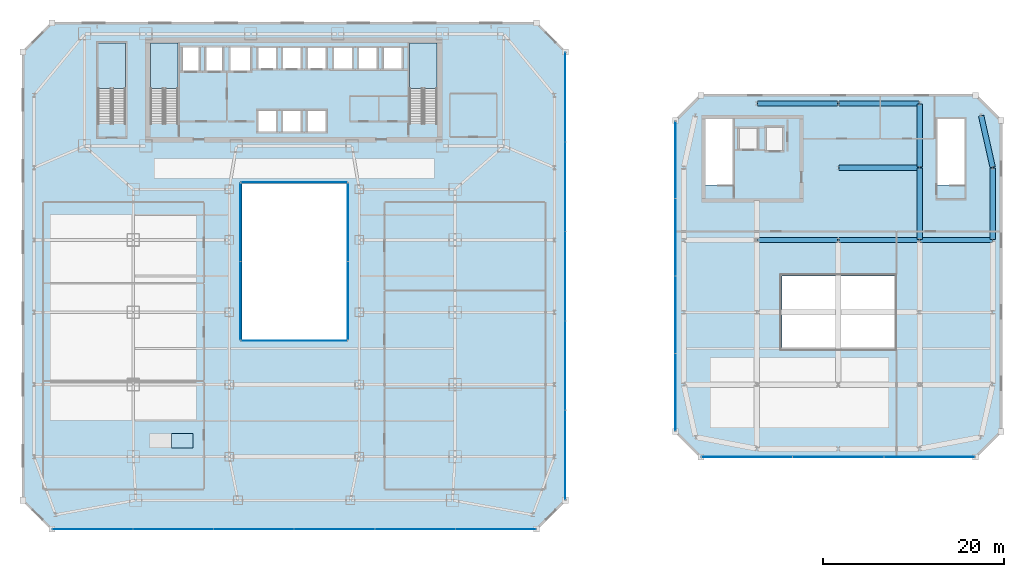
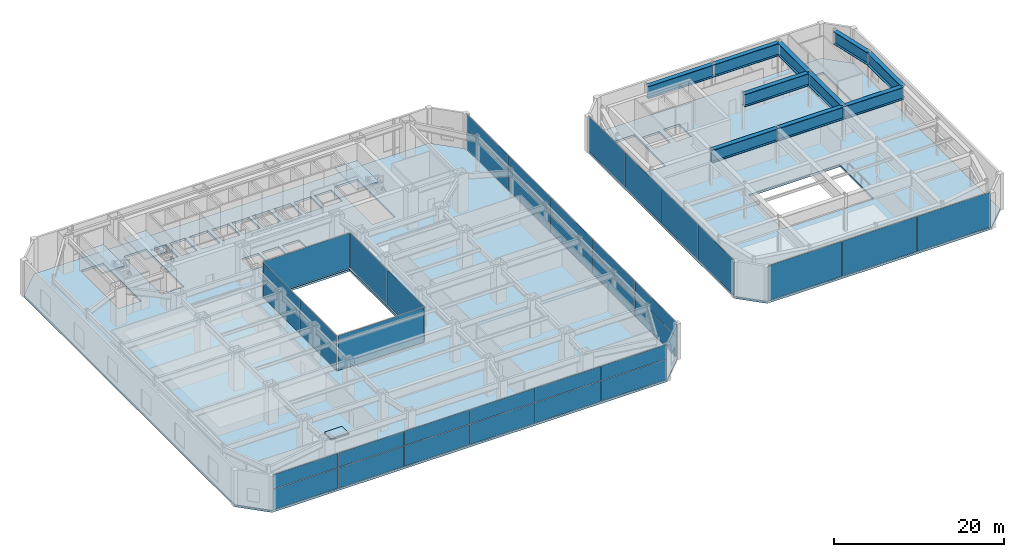
# One storey, part 41 of 53: 35 plates, 10 beams, 6 slabs, 12 elements without a shape of their own.
"""IFC4 building model written with IfcOpenShell, lengths in metres."""

from ifc_helpers import new_model, si_unit, direction, frame, origin, origin_2d, place, context, subcontext, project, spatial, polyline, rectangle, i_section, outline, extrude, material, layer, layer_set, material_profile, profile_set, type_object, element, aggregate, save


model = new_model("IFC4")

# Units and contexts
model_context = context("Model", 3, precision=1e-05, world=origin(), true_north=direction((0.0, 1.0)))
body_context = subcontext(model_context, "Body", "Model", "MODEL_VIEW")
ifc_project = project(units=[si_unit("LENGTHUNIT", "METRE"), si_unit("AREAUNIT", "SQUARE_METRE"), si_unit("VOLUMEUNIT", "CUBIC_METRE"), si_unit("PLANEANGLEUNIT", "RADIAN"), si_unit("MASSUNIT", "GRAM", prefix="KILO")], contexts=[model_context])

# Site, building, storey
site_placement = place(None, origin())
site = spatial("IfcSite", under=ifc_project, at=site_placement, CompositionType="ELEMENT")
building_placement = place(site_placement, origin())
building = spatial("IfcBuilding", under=site, at=building_placement, Name="Saevonmaru Cultural Tower", CompositionType="ELEMENT")
storey_placement = place(building_placement, frame((0.0, 0.0, 22.199951171875)))
storey = spatial("IfcBuildingStorey", under=building, at=storey_placement, Name="L04", CompositionType="ELEMENT", Elevation=22.199951171875)

# Beams
ifc_material_1 = material(Name="Steel HSA600 (600 MPa)", Category="steel")
ifc_material_profile = material_profile(ifc_material_1, i_section(OverallWidth=0.60009765625, OverallDepth=1.800048828125, WebThickness=0.028076171875, FlangeThickness=0.054931640625, at=origin_2d()), Name="PG-1800x600x28x55")
ifc_profile_set = profile_set([ifc_material_profile], Name="Steel HSA600 (600 MPa)")
beam_type = type_object("IfcBeamType", Name="BM-TG-PG1800", PredefinedType="BEAM", material=ifc_profile_set)
for number, where, z_axis, x_axis, name in (
    (1, (81.260009765625, 32.0, 4.199951171875), (1.0, 0.0, 0.0), (0.0, 1.0, 0.0), "L04 Library Girder EW-4-2"),
    (2, (90.260009765625, 32.0, 4.199951171875), (1.0, 0.0, 0.0), (0.0, 1.0, 0.0), "L04 Library Girder EW-4-3"),
):
    element("IfcBeam", number, at=place(storey_placement, frame(where, z_axis=z_axis, x_axis=x_axis)), inside=storey, type_object=beam_type, Name=name, PredefinedType="BEAM", context=body_context, shape_type="SweptSolid", body=[
        extrude(i_section(OverallWidth=0.60009765625, OverallDepth=1.800048828125, WebThickness=0.028076171875, FlangeThickness=0.054931640625, at=origin_2d()), origin(), (0.0, 0.0, 1.0), 8.8798828125),
    ])
beam_1_placement = place(storey_placement, frame((99.260009765625, 32.0, 4.199951171875), z_axis=(1.0, 0.0, 0.0), x_axis=(0.0, 1.0, 0.0)))
element("IfcBeam", 3, at=beam_1_placement, inside=storey, type_object=beam_type, Name="L04 Library Girder EW-4-4", PredefinedType="BEAM", context=body_context, shape_type="SweptSolid", body=[
    extrude(i_section(OverallWidth=0.60009765625, OverallDepth=1.800048828125, WebThickness=0.028076171875, FlangeThickness=0.054931640625, at=origin_2d()), origin(), (0.0, 0.0, 1.0), 7.97998046875),
])
for number, where, z_axis, x_axis, name in (
    (4, (90.260009765625, 40.0, 4.199951171875), (1.0, 0.0, 0.0), (0.0, 1.0, 0.0), "L04 Library Girder EW-5-3"),
    (5, (81.260009765625, 47.10009765625, 4.199951171875), (1.0, 0.0, 0.0), (0.0, 1.0, 0.0), "L04 Library Girder EW-6-2"),
    (6, (90.260009765625, 47.10009765625, 4.199951171875), (1.0, 0.0, 0.0), (0.0, 1.0, 0.0), "L04 Library Girder EW-6-3"),
):
    element("IfcBeam", number, at=place(storey_placement, frame(where, z_axis=z_axis, x_axis=x_axis)), inside=storey, type_object=beam_type, Name=name, PredefinedType="BEAM", context=body_context, shape_type="SweptSolid", body=[
        extrude(i_section(OverallWidth=0.60009765625, OverallDepth=1.800048828125, WebThickness=0.028076171875, FlangeThickness=0.054931640625, at=origin_2d()), origin(), (0.0, 0.0, 1.0), 8.8798828125),
    ])
beam_2_placement = place(storey_placement, frame((99.199951171875, 32.06005859375, 4.199951171875), z_axis=(0.0, 1.0, 0.0), x_axis=(-1.0, 0.0, 0.0)))
element("IfcBeam", 7, at=beam_2_placement, inside=storey, type_object=beam_type, Name="L04 Library Girder NS-4-4", PredefinedType="BEAM", context=body_context, shape_type="SweptSolid", body=[
    extrude(i_section(OverallWidth=0.60009765625, OverallDepth=1.800048828125, WebThickness=0.028076171875, FlangeThickness=0.054931640625, at=origin_2d()), origin(), (0.0, 0.0, 1.0), 7.8798828125),
])
beam_3_placement = place(storey_placement, frame((99.199951171875, 40.06005859375, 4.199951171875), z_axis=(0.0, 1.0, 0.0), x_axis=(-1.0, 0.0, 0.0)))
element("IfcBeam", 8, at=beam_3_placement, inside=storey, type_object=beam_type, Name="L04 Library Girder NS-4-5", PredefinedType="BEAM", context=body_context, shape_type="SweptSolid", body=[
    extrude(i_section(OverallWidth=0.60009765625, OverallDepth=1.800048828125, WebThickness=0.028076171875, FlangeThickness=0.054931640625, at=origin_2d()), origin(), (0.0, 0.0, 1.0), 6.97998046875),
])
beam_4_placement = place(storey_placement, frame((107.300048828125, 32.06005859375, 4.199951171875), z_axis=(0.0, 1.0, 0.0), x_axis=(-1.0, 0.0, 0.0)))
element("IfcBeam", 9, at=beam_4_placement, inside=storey, type_object=beam_type, Name="L04 Library Girder NS-5-4", PredefinedType="BEAM", context=body_context, shape_type="SweptSolid", body=[
    extrude(i_section(OverallWidth=0.60009765625, OverallDepth=1.800048828125, WebThickness=0.028076171875, FlangeThickness=0.054931640625, at=origin_2d()), origin(), (0.0, 0.0, 1.0), 7.8798828125),
])
beam_5_placement = place(storey_placement, frame((107.286865234375, 40.05859375, 4.199951171875), z_axis=(-0.218701133908, 0.975791890737, 0.0), x_axis=(-0.975791890737, -0.218701133908, 0.0)))
element("IfcBeam", 10, at=beam_5_placement, inside=storey, type_object=beam_type, Name="L04 Library Girder NS-5-5", PredefinedType="BEAM", context=body_context, shape_type="SweptSolid", body=[
    extrude(i_section(OverallWidth=0.60009765625, OverallDepth=1.800048828125, WebThickness=0.028076171875, FlangeThickness=0.054931640625, at=origin_2d()), origin(), (0.0, 0.0, 1.0), 5.82373046875),
])

# Curtain wall, plate
ifc_material_2 = material(Name="Satin Bronze Anodised Aluminium", Category="aluminium")
curtain_wall_type_1 = type_object("IfcCurtainWallType", Name="CW-ATR-GLZ", PredefinedType="NOTDEFINED", material=ifc_material_2)
curtain_wall_1_placement = place(storey_placement, origin())
curtain_wall_1 = element("IfcCurtainWall", 11, at=curtain_wall_1_placement, inside=storey, type_object=curtain_wall_type_1, Name="L04 Vertical Atrium Glazed Smoke Screen 1", PredefinedType="NOTDEFINED")
ifc_material_3 = material(Name="Fire-Rated Laminated Atrium Glass", Category="glass")
ifc_layer_1 = layer(ifc_material_3, 0.031982421875, Name="Fire-Rated Laminated Atrium Glass")
ifc_layer_set_1 = layer_set([ifc_layer_1], Name="Fire-Rated Laminated Atrium Glass")
plate_type_1 = type_object("IfcPlateType", Name="PN-GLZ-ATR-INT", PredefinedType="CURTAIN_PANEL", material=ifc_layer_set_1)
plate_1_placement = place(storey_placement, frame((30.0, 20.85009765625, 0.06689453125), z_axis=(0.0, 0.0, 1.0), x_axis=(1.0, 0.0, 0.0)))
plate_1 = element("IfcPlate", 12, at=plate_1_placement, type_object=plate_type_1, Name="CW-ATR-L04-1 panel 1.1", PredefinedType="CURTAIN_PANEL", context=body_context, shape_type="SweptSolid", body=[
    extrude(rectangle(XDim=11.7109375, YDim=0.031982421875, at=origin_2d()), origin(), (0.0, 0.0, 1.0), 5.01611328125),
])
aggregate(curtain_wall_1, [plate_1])

# Curtain wall, plates
curtain_wall_2_placement = place(storey_placement, origin())
curtain_wall_2 = element("IfcCurtainWall", 13, at=curtain_wall_2_placement, inside=storey, type_object=curtain_wall_type_1, Name="L04 Vertical Atrium Glazed Smoke Screen 2", PredefinedType="NOTDEFINED")
plate_2_placement = place(storey_placement, frame((35.949951171875, 25.264892578125, 0.06689453125), z_axis=(0.0, 0.0, 1.0), x_axis=(0.0, 1.0, 0.0)))
plate_2 = element("IfcPlate", 14, at=plate_2_placement, type_object=plate_type_1, Name="CW-ATR-L04-2 panel 1.1", PredefinedType="CURTAIN_PANEL", context=body_context, shape_type="SweptSolid", body=[
    extrude(rectangle(XDim=8.64111328125, YDim=0.031982421875, at=origin_2d()), origin(), (0.0, 0.0, 1.0), 5.01611328125),
])
plate_3_placement = place(storey_placement, frame((35.949951171875, 33.97509765625, 0.06689453125), z_axis=(0.0, 0.0, 1.0), x_axis=(0.0, 1.0, 0.0)))
plate_3 = element("IfcPlate", 15, at=plate_3_placement, type_object=plate_type_1, Name="CW-ATR-L04-2 panel 2.1", PredefinedType="CURTAIN_PANEL", context=body_context, shape_type="SweptSolid", body=[
    extrude(rectangle(XDim=8.64111328125, YDim=0.031982421875, at=origin_2d()), origin(), (0.0, 0.0, 1.0), 5.01611328125),
])
aggregate(curtain_wall_2, [plate_2, plate_3])

# Curtain wall, plate
curtain_wall_3_placement = place(storey_placement, origin())
curtain_wall_3 = element("IfcCurtainWall", 16, at=curtain_wall_3_placement, inside=storey, type_object=curtain_wall_type_1, Name="L04 Vertical Atrium Glazed Smoke Screen 3", PredefinedType="NOTDEFINED")
plate_4_placement = place(storey_placement, frame((30.0, 38.389892578125, 0.06689453125), z_axis=(0.0, 0.0, 1.0), x_axis=(-1.0, 0.0, 0.0)))
plate_4 = element("IfcPlate", 17, at=plate_4_placement, type_object=plate_type_1, Name="CW-ATR-L04-3 panel 1.1", PredefinedType="CURTAIN_PANEL", context=body_context, shape_type="SweptSolid", body=[
    extrude(rectangle(XDim=11.7109375, YDim=0.031982421875, at=origin_2d()), origin(), (0.0, 0.0, 1.0), 5.01611328125),
])
aggregate(curtain_wall_3, [plate_4])

# Curtain wall, plates
curtain_wall_4_placement = place(storey_placement, origin())
curtain_wall_4 = element("IfcCurtainWall", 18, at=curtain_wall_4_placement, inside=storey, type_object=curtain_wall_type_1, Name="L04 Vertical Atrium Glazed Smoke Screen 4", PredefinedType="NOTDEFINED")
plate_5_placement = place(storey_placement, frame((24.050048828125, 33.97509765625, 0.06689453125), z_axis=(0.0, 0.0, 1.0), x_axis=(0.0, -1.0, 0.0)))
plate_5 = element("IfcPlate", 19, at=plate_5_placement, type_object=plate_type_1, Name="CW-ATR-L04-4 panel 1.1", PredefinedType="CURTAIN_PANEL", context=body_context, shape_type="SweptSolid", body=[
    extrude(rectangle(XDim=8.64111328125, YDim=0.031982421875, at=origin_2d()), origin(), (0.0, 0.0, 1.0), 5.01611328125),
])
plate_6_placement = place(storey_placement, frame((24.050048828125, 25.264892578125, 0.06689453125), z_axis=(0.0, 0.0, 1.0), x_axis=(0.0, -1.0, 0.0)))
plate_6 = element("IfcPlate", 20, at=plate_6_placement, type_object=plate_type_1, Name="CW-ATR-L04-4 panel 2.1", PredefinedType="CURTAIN_PANEL", context=body_context, shape_type="SweptSolid", body=[
    extrude(rectangle(XDim=8.64111328125, YDim=0.031982421875, at=origin_2d()), origin(), (0.0, 0.0, 1.0), 5.01611328125),
])
aggregate(curtain_wall_4, [plate_5, plate_6])

curtain_wall_type_2 = type_object("IfcCurtainWallType", Name="CW-POD-GLZ", PredefinedType="NOTDEFINED", material=ifc_material_2)
curtain_wall_5_placement = place(storey_placement, origin())
curtain_wall_5 = element("IfcCurtainWall", 21, at=curtain_wall_5_placement, inside=storey, type_object=curtain_wall_type_2, Name="L04 South Grand Foyer Curtain Wall", PredefinedType="NOTDEFINED")
ifc_material_4 = material(Name="Triple Silver Low-E Insulating Glass", Category="glass")
ifc_layer_2 = layer(ifc_material_4, 0.035888671875, Name="Triple Silver Low-E Insulating Glass")
ifc_layer_set_2 = layer_set([ifc_layer_2], Name="Triple Silver Low-E Insulating Glass")
plate_type_2 = type_object("IfcPlateType", Name="PN-GLZ-IGU", PredefinedType="CURTAIN_PANEL", material=ifc_layer_set_2)
plate_7_placement = place(storey_placement, frame((7.716552734375, 0.0, 0.067138671875), z_axis=(0.0, 0.0, 1.0), x_axis=(1.0, 0.0, 0.0)))
plate_7 = element("IfcPlate", 22, at=plate_7_placement, type_object=plate_type_2, Name="CW-POD-S-L04 panel 1.1", PredefinedType="CURTAIN_PANEL", context=body_context, shape_type="SweptSolid", body=[
    extrude(rectangle(XDim=8.84423828125, YDim=0.035888671875, at=origin_2d()), origin(), (0.0, 0.0, 1.0), 2.8984375),
])
plate_8_placement = place(storey_placement, frame((7.716552734375, 0.0, 3.03466796875), z_axis=(0.0, 0.0, 1.0), x_axis=(1.0, 0.0, 0.0)))
plate_8 = element("IfcPlate", 23, at=plate_8_placement, type_object=plate_type_2, Name="CW-POD-S-L04 panel 1.2", PredefinedType="CURTAIN_PANEL", context=body_context, shape_type="SweptSolid", body=[
    extrude(rectangle(XDim=8.84423828125, YDim=0.035888671875, at=origin_2d()), origin(), (0.0, 0.0, 1.0), 2.048583984375),
])
plate_9_placement = place(storey_placement, frame((16.6298828125, 0.0, 0.067138671875), z_axis=(0.0, 0.0, 1.0), x_axis=(1.0, 0.0, 0.0)))
plate_9 = element("IfcPlate", 24, at=plate_9_placement, type_object=plate_type_2, Name="CW-POD-S-L04 panel 2.1", PredefinedType="CURTAIN_PANEL", context=body_context, shape_type="SweptSolid", body=[
    extrude(rectangle(XDim=8.84423828125, YDim=0.035888671875, at=origin_2d()), origin(), (0.0, 0.0, 1.0), 2.8984375),
])
plate_10_placement = place(storey_placement, frame((16.6298828125, 0.0, 3.03466796875), z_axis=(0.0, 0.0, 1.0), x_axis=(1.0, 0.0, 0.0)))
plate_10 = element("IfcPlate", 25, at=plate_10_placement, type_object=plate_type_2, Name="CW-POD-S-L04 panel 2.2", PredefinedType="CURTAIN_PANEL", context=body_context, shape_type="SweptSolid", body=[
    extrude(rectangle(XDim=8.84423828125, YDim=0.035888671875, at=origin_2d()), origin(), (0.0, 0.0, 1.0), 2.048583984375),
])
plate_11_placement = place(storey_placement, frame((25.543212890625, 0.0, 0.067138671875), z_axis=(0.0, 0.0, 1.0), x_axis=(1.0, 0.0, 0.0)))
plate_11 = element("IfcPlate", 26, at=plate_11_placement, type_object=plate_type_2, Name="CW-POD-S-L04 panel 3.1", PredefinedType="CURTAIN_PANEL", context=body_context, shape_type="SweptSolid", body=[
    extrude(rectangle(XDim=8.84423828125, YDim=0.035888671875, at=origin_2d()), origin(), (0.0, 0.0, 1.0), 2.8984375),
])
plate_12_placement = place(storey_placement, frame((25.543212890625, 0.0, 3.03466796875), z_axis=(0.0, 0.0, 1.0), x_axis=(1.0, 0.0, 0.0)))
plate_12 = element("IfcPlate", 27, at=plate_12_placement, type_object=plate_type_2, Name="CW-POD-S-L04 panel 3.2", PredefinedType="CURTAIN_PANEL", context=body_context, shape_type="SweptSolid", body=[
    extrude(rectangle(XDim=8.84423828125, YDim=0.035888671875, at=origin_2d()), origin(), (0.0, 0.0, 1.0), 2.048583984375),
])
plate_13_placement = place(storey_placement, frame((34.456787109375, 0.0, 0.067138671875), z_axis=(0.0, 0.0, 1.0), x_axis=(1.0, 0.0, 0.0)))
plate_13 = element("IfcPlate", 28, at=plate_13_placement, type_object=plate_type_2, Name="CW-POD-S-L04 panel 4.1", PredefinedType="CURTAIN_PANEL", context=body_context, shape_type="SweptSolid", body=[
    extrude(rectangle(XDim=8.84423828125, YDim=0.035888671875, at=origin_2d()), origin(), (0.0, 0.0, 1.0), 2.8984375),
])
plate_14_placement = place(storey_placement, frame((34.456787109375, 0.0, 3.03466796875), z_axis=(0.0, 0.0, 1.0), x_axis=(1.0, 0.0, 0.0)))
plate_14 = element("IfcPlate", 29, at=plate_14_placement, type_object=plate_type_2, Name="CW-POD-S-L04 panel 4.2", PredefinedType="CURTAIN_PANEL", context=body_context, shape_type="SweptSolid", body=[
    extrude(rectangle(XDim=8.84423828125, YDim=0.035888671875, at=origin_2d()), origin(), (0.0, 0.0, 1.0), 2.048583984375),
])
plate_15_placement = place(storey_placement, frame((43.3701171875, 0.0, 0.067138671875), z_axis=(0.0, 0.0, 1.0), x_axis=(1.0, 0.0, 0.0)))
plate_15 = element("IfcPlate", 30, at=plate_15_placement, type_object=plate_type_2, Name="CW-POD-S-L04 panel 5.1", PredefinedType="CURTAIN_PANEL", context=body_context, shape_type="SweptSolid", body=[
    extrude(rectangle(XDim=8.84423828125, YDim=0.035888671875, at=origin_2d()), origin(), (0.0, 0.0, 1.0), 2.8984375),
])
plate_16_placement = place(storey_placement, frame((43.3701171875, 0.0, 3.03466796875), z_axis=(0.0, 0.0, 1.0), x_axis=(1.0, 0.0, 0.0)))
plate_16 = element("IfcPlate", 31, at=plate_16_placement, type_object=plate_type_2, Name="CW-POD-S-L04 panel 5.2", PredefinedType="CURTAIN_PANEL", context=body_context, shape_type="SweptSolid", body=[
    extrude(rectangle(XDim=8.84423828125, YDim=0.035888671875, at=origin_2d()), origin(), (0.0, 0.0, 1.0), 2.048583984375),
])
plate_17_placement = place(storey_placement, frame((52.283447265625, 0.0, 0.067138671875), z_axis=(0.0, 0.0, 1.0), x_axis=(1.0, 0.0, 0.0)))
plate_17 = element("IfcPlate", 32, at=plate_17_placement, type_object=plate_type_2, Name="CW-POD-S-L04 panel 6.1", PredefinedType="CURTAIN_PANEL", context=body_context, shape_type="SweptSolid", body=[
    extrude(rectangle(XDim=8.84423828125, YDim=0.035888671875, at=origin_2d()), origin(), (0.0, 0.0, 1.0), 2.8984375),
])
plate_18_placement = place(storey_placement, frame((52.283447265625, 0.0, 3.03466796875), z_axis=(0.0, 0.0, 1.0), x_axis=(1.0, 0.0, 0.0)))
plate_18 = element("IfcPlate", 33, at=plate_18_placement, type_object=plate_type_2, Name="CW-POD-S-L04 panel 6.2", PredefinedType="CURTAIN_PANEL", context=body_context, shape_type="SweptSolid", body=[
    extrude(rectangle(XDim=8.84423828125, YDim=0.035888671875, at=origin_2d()), origin(), (0.0, 0.0, 1.0), 2.048583984375),
])
aggregate(curtain_wall_5, [plate_7, plate_8, plate_9, plate_10, plate_11, plate_12, plate_13, plate_14, plate_15, plate_16, plate_17, plate_18])

curtain_wall_6_placement = place(storey_placement, origin())
curtain_wall_6 = element("IfcCurtainWall", 34, at=curtain_wall_6_placement, inside=storey, type_object=curtain_wall_type_2, Name="L04 Saevon Plaza Curtain Wall", PredefinedType="NOTDEFINED")
plate_19_placement = place(storey_placement, frame((60.0, 8.2080078125, 0.067138671875), z_axis=(0.0, 0.0, 1.0), x_axis=(0.0, 1.0, 0.0)))
plate_19 = element("IfcPlate", 35, at=plate_19_placement, type_object=plate_type_2, Name="CW-POD-E-L04 panel 1.1", PredefinedType="CURTAIN_PANEL", context=body_context, shape_type="SweptSolid", body=[
    extrude(rectangle(XDim=9.826904296875, YDim=0.035888671875, at=origin_2d()), origin(), (0.0, 0.0, 1.0), 2.8984375),
])
plate_20_placement = place(storey_placement, frame((60.0, 8.2080078125, 3.03466796875), z_axis=(0.0, 0.0, 1.0), x_axis=(0.0, 1.0, 0.0)))
plate_20 = element("IfcPlate", 36, at=plate_20_placement, type_object=plate_type_2, Name="CW-POD-E-L04 panel 1.2", PredefinedType="CURTAIN_PANEL", context=body_context, shape_type="SweptSolid", body=[
    extrude(rectangle(XDim=9.826904296875, YDim=0.035888671875, at=origin_2d()), origin(), (0.0, 0.0, 1.0), 2.048583984375),
])
plate_21_placement = place(storey_placement, frame((60.0, 18.10400390625, 0.067138671875), z_axis=(0.0, 0.0, 1.0), x_axis=(0.0, 1.0, 0.0)))
plate_21 = element("IfcPlate", 37, at=plate_21_placement, type_object=plate_type_2, Name="CW-POD-E-L04 panel 2.1", PredefinedType="CURTAIN_PANEL", context=body_context, shape_type="SweptSolid", body=[
    extrude(rectangle(XDim=9.826904296875, YDim=0.035888671875, at=origin_2d()), origin(), (0.0, 0.0, 1.0), 2.8984375),
])
plate_22_placement = place(storey_placement, frame((60.0, 18.10400390625, 3.03466796875), z_axis=(0.0, 0.0, 1.0), x_axis=(0.0, 1.0, 0.0)))
plate_22 = element("IfcPlate", 38, at=plate_22_placement, type_object=plate_type_2, Name="CW-POD-E-L04 panel 2.2", PredefinedType="CURTAIN_PANEL", context=body_context, shape_type="SweptSolid", body=[
    extrude(rectangle(XDim=9.826904296875, YDim=0.035888671875, at=origin_2d()), origin(), (0.0, 0.0, 1.0), 2.048583984375),
])
plate_23_placement = place(storey_placement, frame((60.0, 28.0, 0.067138671875), z_axis=(0.0, 0.0, 1.0), x_axis=(0.0, 1.0, 0.0)))
plate_23 = element("IfcPlate", 39, at=plate_23_placement, type_object=plate_type_2, Name="CW-POD-E-L04 panel 3.1", PredefinedType="CURTAIN_PANEL", context=body_context, shape_type="SweptSolid", body=[
    extrude(rectangle(XDim=9.826904296875, YDim=0.035888671875, at=origin_2d()), origin(), (0.0, 0.0, 1.0), 2.8984375),
])
plate_24_placement = place(storey_placement, frame((60.0, 28.0, 3.03466796875), z_axis=(0.0, 0.0, 1.0), x_axis=(0.0, 1.0, 0.0)))
plate_24 = element("IfcPlate", 40, at=plate_24_placement, type_object=plate_type_2, Name="CW-POD-E-L04 panel 3.2", PredefinedType="CURTAIN_PANEL", context=body_context, shape_type="SweptSolid", body=[
    extrude(rectangle(XDim=9.826904296875, YDim=0.035888671875, at=origin_2d()), origin(), (0.0, 0.0, 1.0), 2.048583984375),
])
plate_25_placement = place(storey_placement, frame((60.0, 37.89599609375, 0.067138671875), z_axis=(0.0, 0.0, 1.0), x_axis=(0.0, 1.0, 0.0)))
plate_25 = element("IfcPlate", 41, at=plate_25_placement, type_object=plate_type_2, Name="CW-POD-E-L04 panel 4.1", PredefinedType="CURTAIN_PANEL", context=body_context, shape_type="SweptSolid", body=[
    extrude(rectangle(XDim=9.826904296875, YDim=0.035888671875, at=origin_2d()), origin(), (0.0, 0.0, 1.0), 2.8984375),
])
plate_26_placement = place(storey_placement, frame((60.0, 37.89599609375, 3.03466796875), z_axis=(0.0, 0.0, 1.0), x_axis=(0.0, 1.0, 0.0)))
plate_26 = element("IfcPlate", 42, at=plate_26_placement, type_object=plate_type_2, Name="CW-POD-E-L04 panel 4.2", PredefinedType="CURTAIN_PANEL", context=body_context, shape_type="SweptSolid", body=[
    extrude(rectangle(XDim=9.826904296875, YDim=0.035888671875, at=origin_2d()), origin(), (0.0, 0.0, 1.0), 2.048583984375),
])
plate_27_placement = place(storey_placement, frame((60.0, 47.7919921875, 0.067138671875), z_axis=(0.0, 0.0, 1.0), x_axis=(0.0, 1.0, 0.0)))
plate_27 = element("IfcPlate", 43, at=plate_27_placement, type_object=plate_type_2, Name="CW-POD-E-L04 panel 5.1", PredefinedType="CURTAIN_PANEL", context=body_context, shape_type="SweptSolid", body=[
    extrude(rectangle(XDim=9.826904296875, YDim=0.035888671875, at=origin_2d()), origin(), (0.0, 0.0, 1.0), 2.8984375),
])
plate_28_placement = place(storey_placement, frame((60.0, 47.7919921875, 3.03466796875), z_axis=(0.0, 0.0, 1.0), x_axis=(0.0, 1.0, 0.0)))
plate_28 = element("IfcPlate", 44, at=plate_28_placement, type_object=plate_type_2, Name="CW-POD-E-L04 panel 5.2", PredefinedType="CURTAIN_PANEL", context=body_context, shape_type="SweptSolid", body=[
    extrude(rectangle(XDim=9.826904296875, YDim=0.035888671875, at=origin_2d()), origin(), (0.0, 0.0, 1.0), 2.048583984375),
])
aggregate(curtain_wall_6, [plate_19, plate_20, plate_21, plate_22, plate_23, plate_24, plate_25, plate_26, plate_27, plate_28])

curtain_wall_type_3 = type_object("IfcCurtainWallType", Name="CW-LIB-GLZ", PredefinedType="NOTDEFINED", material=ifc_material_2)
curtain_wall_7_placement = place(storey_placement, origin())
curtain_wall_7 = element("IfcCurtainWall", 45, at=curtain_wall_7_placement, inside=storey, type_object=curtain_wall_type_3, Name="L04 Central Library Reading Hall Curtain Wall 2", PredefinedType="NOTDEFINED")
plate_29_placement = place(storey_placement, frame((80.106689453125, 8.0, 0.06689453125), z_axis=(0.0, 0.0, 1.0), x_axis=(1.0, 0.0, 0.0)))
plate_29 = element("IfcPlate", 46, at=plate_29_placement, type_object=plate_type_2, Name="CW-LIB-2-L04 panel 1.1", PredefinedType="CURTAIN_PANEL", context=body_context, shape_type="SweptSolid", body=[
    extrude(rectangle(XDim=10.0244140625, YDim=0.035888671875, at=origin_2d()), origin(), (0.0, 0.0, 1.0), 5.01611328125),
])
plate_30_placement = place(storey_placement, frame((90.199951171875, 8.0, 0.06689453125), z_axis=(0.0, 0.0, 1.0), x_axis=(1.0, 0.0, 0.0)))
plate_30 = element("IfcPlate", 47, at=plate_30_placement, type_object=plate_type_2, Name="CW-LIB-2-L04 panel 2.1", PredefinedType="CURTAIN_PANEL", context=body_context, shape_type="SweptSolid", body=[
    extrude(rectangle(XDim=10.0244140625, YDim=0.035888671875, at=origin_2d()), origin(), (0.0, 0.0, 1.0), 5.01611328125),
])
plate_31_placement = place(storey_placement, frame((100.293212890625, 8.0, 0.06689453125), z_axis=(0.0, 0.0, 1.0), x_axis=(1.0, 0.0, 0.0)))
plate_31 = element("IfcPlate", 48, at=plate_31_placement, type_object=plate_type_2, Name="CW-LIB-2-L04 panel 3.1", PredefinedType="CURTAIN_PANEL", context=body_context, shape_type="SweptSolid", body=[
    extrude(rectangle(XDim=10.0244140625, YDim=0.035888671875, at=origin_2d()), origin(), (0.0, 0.0, 1.0), 5.01611328125),
])
aggregate(curtain_wall_7, [plate_29, plate_30, plate_31])

curtain_wall_8_placement = place(storey_placement, origin())
curtain_wall_8 = element("IfcCurtainWall", 49, at=curtain_wall_8_placement, inside=storey, type_object=curtain_wall_type_3, Name="L04 Central Library Reading Hall Curtain Wall 8", PredefinedType="NOTDEFINED")
plate_32_placement = place(storey_placement, frame((72.199951171875, 40.85498046875, 0.06689453125), z_axis=(0.0, 0.0, 1.0), x_axis=(0.0, -1.0, 0.0)))
plate_32 = element("IfcPlate", 50, at=plate_32_placement, type_object=plate_type_2, Name="CW-LIB-8-L04 panel 1.1", PredefinedType="CURTAIN_PANEL", context=body_context, shape_type="SweptSolid", body=[
    extrude(rectangle(XDim=8.5009765625, YDim=0.035888671875, at=origin_2d()), origin(), (0.0, 0.0, 1.0), 5.01611328125),
])
plate_33_placement = place(storey_placement, frame((72.199951171875, 32.284912109375, 0.06689453125), z_axis=(0.0, 0.0, 1.0), x_axis=(0.0, -1.0, 0.0)))
plate_33 = element("IfcPlate", 51, at=plate_33_placement, type_object=plate_type_2, Name="CW-LIB-8-L04 panel 2.1", PredefinedType="CURTAIN_PANEL", context=body_context, shape_type="SweptSolid", body=[
    extrude(rectangle(XDim=8.5009765625, YDim=0.035888671875, at=origin_2d()), origin(), (0.0, 0.0, 1.0), 5.01611328125),
])
plate_34_placement = place(storey_placement, frame((72.199951171875, 23.715087890625, 0.06689453125), z_axis=(0.0, 0.0, 1.0), x_axis=(0.0, -1.0, 0.0)))
plate_34 = element("IfcPlate", 52, at=plate_34_placement, type_object=plate_type_2, Name="CW-LIB-8-L04 panel 3.1", PredefinedType="CURTAIN_PANEL", context=body_context, shape_type="SweptSolid", body=[
    extrude(rectangle(XDim=8.5009765625, YDim=0.035888671875, at=origin_2d()), origin(), (0.0, 0.0, 1.0), 5.01611328125),
])
plate_35_placement = place(storey_placement, frame((72.199951171875, 15.14501953125, 0.06689453125), z_axis=(0.0, 0.0, 1.0), x_axis=(0.0, -1.0, 0.0)))
plate_35 = element("IfcPlate", 53, at=plate_35_placement, type_object=plate_type_2, Name="CW-LIB-8-L04 panel 4.1", PredefinedType="CURTAIN_PANEL", context=body_context, shape_type="SweptSolid", body=[
    extrude(rectangle(XDim=8.5009765625, YDim=0.035888671875, at=origin_2d()), origin(), (0.0, 0.0, 1.0), 5.01611328125),
])
aggregate(curtain_wall_8, [plate_32, plate_33, plate_34, plate_35])

# Ramp, slab
ifc_material_5 = material(Name="Concrete C40/50", Category="concrete")
ramp_type = type_object("IfcRampType", Name="RMP-PED-1600", PredefinedType="STRAIGHT_RUN_RAMP", material=ifc_material_5)
ramp_placement = place(storey_placement, origin())
ramp = element("IfcRamp", 54, at=ramp_placement, inside=storey, type_object=ramp_type, Name="L04 Barrier-Free Gallery Dais Ramp PR-4", PredefinedType="STRAIGHT_RUN_RAMP")
ifc_layer_3 = layer(ifc_material_5, 0.199951171875, Name="Concrete C40/50")
ifc_layer_set_3 = layer_set([ifc_layer_3], Name="Concrete C40/50")
slab_type_1 = type_object("IfcSlabType", Name="SL-DAIS-200", PredefinedType="LANDING", material=ifc_layer_set_3)
slab_1_placement = place(storey_placement, origin())
slab_1 = element("IfcSlab", 55, at=slab_1_placement, type_object=slab_type_1, Name="L04 Gallery Exhibition Dais Landing 4", PredefinedType="LANDING", context=body_context, shape_type="SweptSolid", body=[
    extrude(outline(polyline([(16.39990234375, 9.0), (18.800048828125, 9.0), (18.800048828125, 10.60009765625), (16.39990234375, 10.60009765625), (16.39990234375, 9.0)])), origin(), (0.0, 0.0, 1.0), 0.199951171875),
])
aggregate(ramp, [slab_1])

# Slabs
ifc_layer_4 = layer(ifc_material_5, 0.300048828125, Name="Concrete C40/50")
ifc_layer_set_4 = layer_set([ifc_layer_4], Name="Concrete C40/50")
slab_type_2 = type_object("IfcSlabType", Name="SL-FLR-300", PredefinedType="FLOOR", material=ifc_layer_set_4)
slab_2_placement = place(storey_placement, frame((0.0, 0.0, -0.300048828125)))
element("IfcSlab", 56, at=slab_2_placement, inside=storey, type_object=slab_type_2, Name="L04 Tower Structural Floor Slab", PredefinedType="FLOOR", context=body_context, shape_type="SweptSolid", body=[
    extrude(outline(polyline([(0.0, 3.199951171875), (3.199951171875, 0.0), (56.800048828125, 0.0), (60.0, 3.199951171875), (60.0, 52.800048828125), (56.800048828125, 56.0), (3.199951171875, 56.0), (0.0, 52.800048828125), (0.0, 3.199951171875)]), holes=[polyline([(45.800048828125, 44.875), (42.75, 44.875), (42.75, 53.800048828125), (45.800048828125, 53.800048828125), (45.800048828125, 44.875)]), polyline([(39.75, 50.800048828125), (39.75, 53.39990234375), (42.050048828125, 53.39990234375), (42.050048828125, 50.800048828125), (39.75, 50.800048828125)]), polyline([(37.0, 50.800048828125), (37.0, 53.39990234375), (39.300048828125, 53.39990234375), (39.300048828125, 50.800048828125), (37.0, 50.800048828125)]), polyline([(34.25, 50.800048828125), (34.25, 53.39990234375), (36.550048828125, 53.39990234375), (36.550048828125, 50.800048828125), (34.25, 50.800048828125)]), polyline([(24.199951171875, 21.0), (24.199951171875, 38.239990234375), (35.800048828125, 38.239990234375), (35.800048828125, 21.0), (24.199951171875, 21.0)]), polyline([(31.35009765625, 50.800048828125), (31.35009765625, 53.39990234375), (33.64990234375, 53.39990234375), (33.64990234375, 50.800048828125), (31.35009765625, 50.800048828125)]), polyline([(31.35009765625, 43.85009765625), (31.35009765625, 46.449951171875), (33.64990234375, 46.449951171875), (33.64990234375, 43.85009765625), (31.35009765625, 43.85009765625)]), polyline([(28.60009765625, 43.85009765625), (28.60009765625, 46.449951171875), (30.89990234375, 46.449951171875), (30.89990234375, 43.85009765625), (28.60009765625, 43.85009765625)]), polyline([(28.60009765625, 50.800048828125), (28.60009765625, 53.39990234375), (30.89990234375, 53.39990234375), (30.89990234375, 50.800048828125), (28.60009765625, 50.800048828125)]), polyline([(25.85009765625, 50.800048828125), (25.85009765625, 53.39990234375), (28.14990234375, 53.39990234375), (28.14990234375, 50.800048828125), (25.85009765625, 50.800048828125)]), polyline([(25.85009765625, 43.85009765625), (25.85009765625, 46.449951171875), (28.14990234375, 46.449951171875), (28.14990234375, 43.85009765625), (25.85009765625, 43.85009765625)]), polyline([(22.800048828125, 50.550048828125), (22.800048828125, 53.449951171875), (25.300048828125, 53.449951171875), (25.300048828125, 50.550048828125), (22.800048828125, 50.550048828125)]), polyline([(20.10009765625, 50.550048828125), (20.10009765625, 53.449951171875), (22.199951171875, 53.449951171875), (22.199951171875, 50.550048828125), (20.10009765625, 50.550048828125)]), polyline([(17.5, 50.550048828125), (17.5, 53.449951171875), (19.60009765625, 53.449951171875), (19.60009765625, 50.550048828125), (17.5, 50.550048828125)]), polyline([(17.14990234375, 44.875), (14.10009765625, 44.875), (14.10009765625, 53.800048828125), (17.14990234375, 53.800048828125), (17.14990234375, 44.875)]), polyline([(11.35009765625, 44.875), (8.300048828125, 44.875), (8.300048828125, 53.800048828125), (11.35009765625, 53.800048828125), (11.35009765625, 44.875)])]), origin(), (0.0, 0.0, 1.0), 0.300048828125),
])
slab_3_placement = place(storey_placement, frame((0.0, 0.0, -0.300048828125)))
element("IfcSlab", 57, at=slab_3_placement, inside=storey, type_object=slab_type_2, Name="L04 Central Library Structural Floor Slab", PredefinedType="FLOOR", context=body_context, shape_type="SweptSolid", body=[
    extrude(outline(polyline([(72.199951171875, 10.800048828125), (75.0, 8.0), (105.39990234375, 8.0), (108.199951171875, 10.800048828125), (108.199951171875, 45.199951171875), (105.39990234375, 48.0), (75.0, 48.0), (72.199951171875, 45.199951171875), (72.199951171875, 10.800048828125)]), holes=[polyline([(101.14990234375, 45.39990234375), (104.199951171875, 45.39990234375), (104.199951171875, 38.074951171875), (101.14990234375, 38.074951171875), (101.14990234375, 45.39990234375)]), polyline([(96.39990234375, 28.0), (96.39990234375, 20.0), (84.0, 20.0), (84.0, 28.0), (96.39990234375, 28.0)]), polyline([(84.199951171875, 41.75), (82.10009765625, 41.75), (82.10009765625, 44.64990234375), (84.199951171875, 44.64990234375), (84.199951171875, 41.75)]), polyline([(81.39990234375, 41.89990234375), (79.10009765625, 41.89990234375), (79.10009765625, 44.5), (81.39990234375, 44.5), (81.39990234375, 41.89990234375)]), polyline([(75.5, 45.39990234375), (78.550048828125, 45.39990234375), (78.550048828125, 38.074951171875), (75.5, 38.074951171875), (75.5, 45.39990234375)])]), origin(), (0.0, 0.0, 1.0), 0.300048828125),
])

# Stair, slab
stair_type = type_object("IfcStairType", Name="STR-DOGLEG-RC", PredefinedType="HALF_TURN_STAIR", material=ifc_material_5)
stair_1_placement = place(storey_placement, origin())
stair_1 = element("IfcStair", 58, at=stair_1_placement, inside=storey, type_object=stair_type, Name="L04 Protected exit stair ST-1", PredefinedType="HALF_TURN_STAIR")
ifc_layer_5 = layer(ifc_material_5, 0.199951171875, Name="Concrete C40/50")
ifc_layer_set_5 = layer_set([ifc_layer_5], Name="Concrete C40/50")
slab_type_3 = type_object("IfcSlabType", Name="SL-STAIR-LANDING", PredefinedType="LANDING", material=ifc_layer_set_5)
slab_4_placement = place(storey_placement, frame((0.0, 0.0, 2.5)))
slab_4 = element("IfcSlab", 59, at=slab_4_placement, type_object=slab_type_3, Name="ST-1-L04 landing 1", PredefinedType="LANDING", context=body_context, shape_type="SweptSolid", body=[
    extrude(outline(polyline([(17.14990234375, 48.77001953125), (17.14990234375, 53.800048828125), (14.10009765625, 53.800048828125), (14.10009765625, 48.77001953125), (17.14990234375, 48.77001953125)])), origin(), (0.0, 0.0, 1.0), 0.199951171875),
])
aggregate(stair_1, [slab_4])

stair_2_placement = place(storey_placement, origin())
stair_2 = element("IfcStair", 60, at=stair_2_placement, inside=storey, type_object=stair_type, Name="L04 Protected exit stair ST-2", PredefinedType="HALF_TURN_STAIR")
slab_5_placement = place(storey_placement, frame((0.0, 0.0, 2.5)))
slab_5 = element("IfcSlab", 61, at=slab_5_placement, type_object=slab_type_3, Name="ST-2-L04 landing 1", PredefinedType="LANDING", context=body_context, shape_type="SweptSolid", body=[
    extrude(outline(polyline([(45.800048828125, 48.77001953125), (45.800048828125, 53.800048828125), (42.75, 53.800048828125), (42.75, 48.77001953125), (45.800048828125, 48.77001953125)])), origin(), (0.0, 0.0, 1.0), 0.199951171875),
])
aggregate(stair_2, [slab_5])

stair_3_placement = place(storey_placement, origin())
stair_3 = element("IfcStair", 62, at=stair_3_placement, inside=storey, type_object=stair_type, Name="L04 Protected exit stair ST-3", PredefinedType="HALF_TURN_STAIR")
slab_6_placement = place(storey_placement, frame((0.0, 0.0, 2.5)))
slab_6 = element("IfcSlab", 63, at=slab_6_placement, type_object=slab_type_3, Name="ST-3-L04 landing 1", PredefinedType="LANDING", context=body_context, shape_type="SweptSolid", body=[
    extrude(outline(polyline([(11.35009765625, 48.77001953125), (11.35009765625, 53.800048828125), (8.300048828125, 53.800048828125), (8.300048828125, 48.77001953125), (11.35009765625, 48.77001953125)])), origin(), (0.0, 0.0, 1.0), 0.199951171875),
])
aggregate(stair_3, [slab_6])

save(model, "model.ifc")
